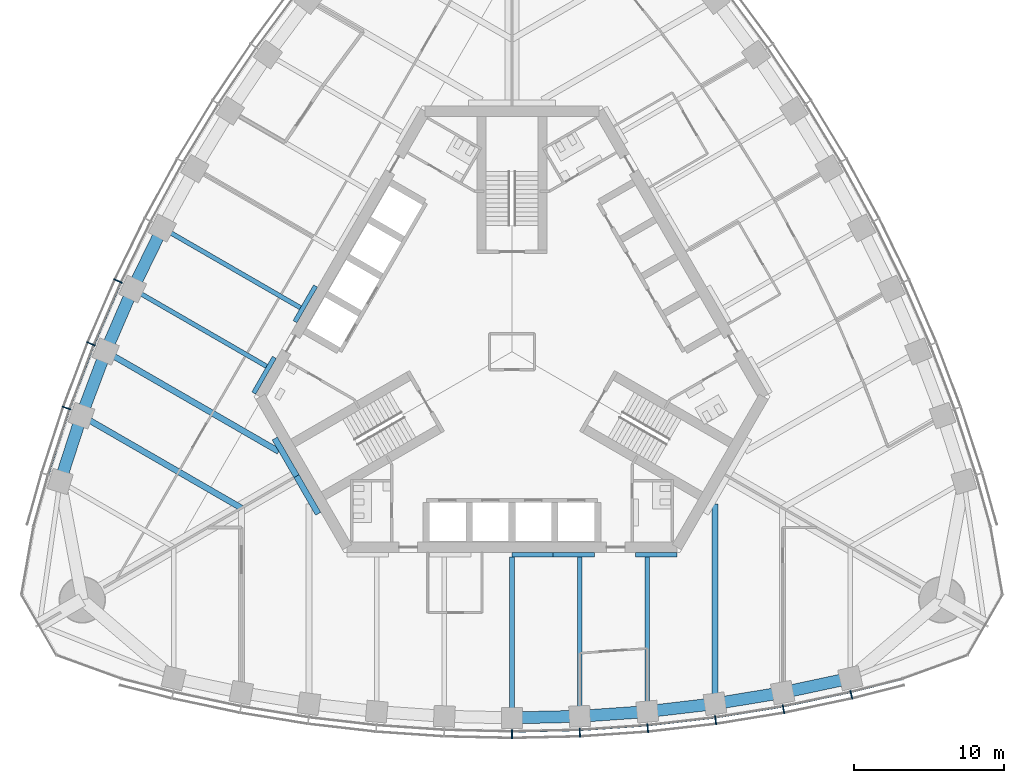
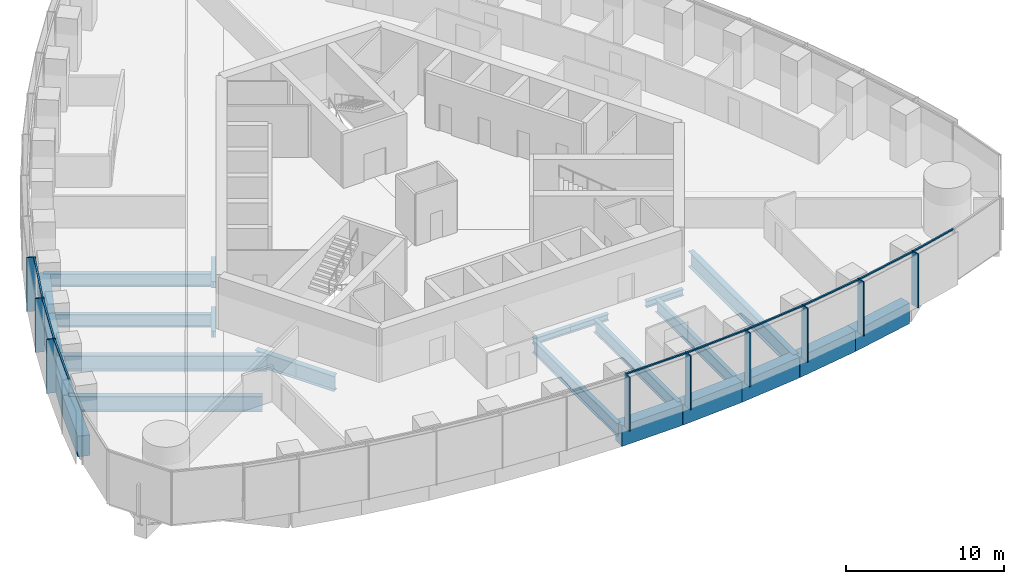
# One storey, part 3 of 19: 24 beams, 18 members, 2 elements without a shape of their own.
"""IFC4 building model written with IfcOpenShell, lengths in metres."""

import ifcopenshell
import ifcopenshell.guid

model = None  # the IFC model being written
_history = None  # IfcOwnerHistory: only IFC2X3 demands one
_inside = {}  # id of a spatial element -> (the spatial element, [elements in it])
_under = {}  # id of a project, library or spatial element -> (it, [spatial elements below it])
_declared = {}  # id of a project -> (the project, [libraries it declares])
_typed = {}  # id of a type object -> (the type object, [elements of that type])
_made_of = {}  # id of a material, layer set ... -> (it, [elements and type objects made of it])


def new_model(schema):
    """Start an empty IFC model of exactly this schema.

    Asked for "IFC4X3", IfcOpenShell would pick the latest addendum, in which some entities
    have other attributes; the version numbers below select the first issue.
    IFC2X3 requires an IfcOwnerHistory on every rooted entity: one is made here for all.
    """
    global model, _history
    if schema == "IFC4X3":
        model = ifcopenshell.file(schema_version=(4, 3, 0, 0))
    else:
        model = ifcopenshell.file(schema=schema)
    _inside.clear()
    _under.clear()
    _declared.clear()
    _typed.clear()
    _made_of.clear()
    _history = None
    if model.schema == "IFC2X3":
        org = make("IfcOrganization", Name="unknown")
        user = make(
            "IfcPersonAndOrganization",
            ThePerson=make("IfcPerson", FamilyName="unknown"),
            TheOrganization=org,
        )
        app = make(
            "IfcApplication",
            ApplicationDeveloper=org,
            Version="unknown",
            ApplicationFullName="unknown",
            ApplicationIdentifier="unknown",
        )
        _history = make(
            "IfcOwnerHistory",
            OwningUser=user,
            OwningApplication=app,
            ChangeAction="ADDED",
            CreationDate=0,
        )
    return model


def make(cls, **values):
    """One entity of the class cls with the attributes given. An attribute that is None is left unset."""
    return model.create_entity(
        cls, **{name: value for name, value in values.items() if value is not None}
    )


def rooted(cls, **values):
    """An entity with a GlobalId (a new one), such as an element, a storey or a relation."""
    return make(cls, GlobalId=ifcopenshell.guid.new(), OwnerHistory=_history, **values)


def si_unit(unit_type, name, prefix=None):
    """IfcSIUnit, for example si_unit("LENGTHUNIT", "METRE", prefix="MILLI")."""
    return make("IfcSIUnit", UnitType=unit_type, Prefix=prefix, Name=name)


def assignment(units):
    """IfcUnitAssignment: the units of a project."""
    return None if units is None else make("IfcUnitAssignment", Units=units)


def point(xyz):
    """IfcCartesianPoint."""
    return None if xyz is None else make("IfcCartesianPoint", Coordinates=xyz)


def direction(xyz):
    """IfcDirection."""
    return None if xyz is None else make("IfcDirection", DirectionRatios=xyz)


def frame(location, z_axis=None, x_axis=None):
    """IfcAxis2Placement3D, a coordinate frame: its origin and axes. An axis left out is left unset."""
    return make(
        "IfcAxis2Placement3D",
        Location=point(location),
        Axis=direction(z_axis),
        RefDirection=direction(x_axis),
    )


def frame_2d(location, x_axis=None):
    """IfcAxis2Placement2D, a coordinate frame in the plane: its origin and x axis."""
    return make(
        "IfcAxis2Placement2D", Location=point(location), RefDirection=direction(x_axis)
    )


def origin():
    """The frame at (0, 0, 0) with its axes left unset."""
    return frame((0.0, 0.0, 0.0))


def origin_2d():
    """The frame at (0, 0) in the plane with its x axis left unset."""
    return frame_2d((0.0, 0.0))


def place(relative_to, where):
    """IfcLocalPlacement: puts the frame where relative to a parent placement (None: the world)."""
    return make(
        "IfcLocalPlacement", PlacementRelTo=relative_to, RelativePlacement=where
    )


def context(
    kind, dimensions, precision=None, world=None, true_north=None, identifier=None
):
    """IfcGeometricRepresentationContext, for example the 3D "Model" context."""
    return make(
        "IfcGeometricRepresentationContext",
        ContextIdentifier=identifier,
        ContextType=kind,
        CoordinateSpaceDimension=dimensions,
        Precision=precision,
        WorldCoordinateSystem=world,
        TrueNorth=true_north,
    )


def subcontext(parent, identifier, kind, view, scale=None):
    """IfcGeometricRepresentationSubContext, for example "Body" below "Model"."""
    return make(
        "IfcGeometricRepresentationSubContext",
        ContextIdentifier=identifier,
        ContextType=kind,
        ParentContext=parent,
        TargetScale=scale,
        TargetView=view,
    )


def project(units=None, contexts=None):
    """IfcProject with its units and contexts."""
    return rooted(
        "IfcProject",
        Name="project",
        RepresentationContexts=contexts,
        UnitsInContext=assignment(units),
    )


def spatial(cls, under=None, at=None, **own):
    """A site, building, storey or space (cls), placed at a placement, below another one or the project."""
    s = rooted(cls, ObjectPlacement=at, **own)
    if under is not None:
        _under.setdefault(under.id(), (under, []))[1].append(s)
    return s


def profile(cls, at=None, kind="AREA", **sizes):
    """A parametric profile (cls). Its sizes go by their IFC names, for example OverallWidth=200.0."""
    return make(cls, ProfileType=kind, Position=at, **sizes)


def rectangle(**sizes):
    """IfcRectangleProfileDef."""
    return profile("IfcRectangleProfileDef", **sizes)


def i_section(**sizes):
    """IfcIShapeProfileDef."""
    return profile("IfcIShapeProfileDef", **sizes)


def extrude(swept, where, along, depth):
    """IfcExtrudedAreaSolid: the profile swept, set in the frame where, extruded along a direction by depth."""
    return make(
        "IfcExtrudedAreaSolid",
        SweptArea=swept,
        Position=where,
        ExtrudedDirection=direction(along),
        Depth=depth,
    )


def shape(context_of_items, identifier, shape_type, items):
    """IfcShapeRepresentation: the items that make up one representation, for example the "Body"."""
    return make(
        "IfcShapeRepresentation",
        ContextOfItems=context_of_items,
        RepresentationIdentifier=identifier,
        RepresentationType=shape_type,
        Items=items,
    )


def material(Name=None, Category=None):
    """IfcMaterial."""
    return make("IfcMaterial", Name=Name, Category=Category)


def material_profile(
    of_material, cross_section, Name=None, Category=None, Priority=None
):
    """IfcMaterialProfile: a cross section and its material."""
    return make(
        "IfcMaterialProfile",
        Name=Name,
        Material=of_material,
        Profile=cross_section,
        Priority=Priority,
        Category=Category,
    )


def profile_set(profiles, Name=None, composite=None):
    """IfcMaterialProfileSet."""
    return make(
        "IfcMaterialProfileSet",
        Name=Name,
        MaterialProfiles=profiles,
        CompositeProfile=composite,
    )


def made_of(thing, what):
    """Note that an element or type object is made of a material, layer set ...; save() writes the relation."""
    if what is not None:
        _made_of.setdefault(what.id(), (what, []))[1].append(thing)
    return thing


def type_object(cls, material=None, **own):
    """A type object (cls), such as IfcWallType, which elements share."""
    return made_of(rooted(cls, **own), material)


def element(
    cls,
    number,
    at=None,
    inside=None,
    cuts=None,
    type_object=None,
    material=None,
    context=None,
    identifier="Body",
    shape_type=None,
    held_by="IfcProductDefinitionShape",
    body=None,
    shapes=None,
    **own,
):
    """One element of the class cls, such as IfcWall. Its Tag is "e" and its number.

    at: its placement. inside: the storey or other place that contains it. cuts: it is an
    opening in that element (IfcRelVoidsElement). A single representation is given by context,
    identifier, shape_type and body (its items); several are given by shapes. held_by: the class
    of the entity that holds the representations. save() writes the other relations.
    """
    e = rooted(cls, Tag="e%d" % number, ObjectPlacement=at, **own)
    if body is not None:
        shapes = [shape(context, identifier, shape_type, body)]
    if shapes is not None:
        e.Representation = make(held_by, Representations=shapes)
    if inside is not None:
        _inside.setdefault(inside.id(), (inside, []))[1].append(e)
    if cuts is not None:
        rooted(
            "IfcRelVoidsElement", RelatingBuildingElement=cuts, RelatedOpeningElement=e
        )
    if type_object is not None:
        _typed.setdefault(type_object.id(), (type_object, []))[1].append(e)
    return made_of(e, material)


def aggregate(whole, parts):
    """IfcRelAggregates: a whole, such as a stair, and the parts it consists of."""
    return rooted("IfcRelAggregates", RelatingObject=whole, RelatedObjects=parts)


def save(model, path):
    """Write the relations noted so far, then the file.

    IfcRelAggregates (storeys below a building ...), IfcRelContainedInSpatialStructure (elements
    in a storey), IfcRelDefinesByType, IfcRelAssociatesMaterial and IfcRelDeclares: one each for
    every whole, place, type object, material and project.
    """
    for whole, parts in _under.values():
        aggregate(whole, parts)
    for where, things in _inside.values():
        rooted(
            "IfcRelContainedInSpatialStructure",
            RelatedElements=things,
            RelatingStructure=where,
        )
    for kind, things in _typed.values():
        rooted("IfcRelDefinesByType", RelatedObjects=things, RelatingType=kind)
    for what, things in _made_of.values():
        rooted("IfcRelAssociatesMaterial", RelatedObjects=things, RelatingMaterial=what)
    for by, libraries in _declared.values():
        rooted("IfcRelDeclares", RelatingContext=by, RelatedDefinitions=libraries)
    model.write(path)


model = new_model("IFC4")

# Units and contexts
model_context = context("Model", 3, precision=1e-05, world=origin(), true_north=direction((0.0, 1.0)))
body_context = subcontext(model_context, "Body", "Model", "MODEL_VIEW")
ifc_project = project(units=[si_unit("LENGTHUNIT", "METRE"), si_unit("AREAUNIT", "SQUARE_METRE"), si_unit("VOLUMEUNIT", "CUBIC_METRE"), si_unit("PLANEANGLEUNIT", "RADIAN"), si_unit("MASSUNIT", "GRAM", prefix="KILO")], contexts=[model_context])

# Site, building, storey
site_placement = place(None, origin())
site = spatial("IfcSite", under=ifc_project, at=site_placement, CompositionType="ELEMENT")
building_placement = place(site_placement, origin())
building = spatial("IfcBuilding", under=site, at=building_placement, Name="Trefoil Bronze Tower", CompositionType="ELEMENT")
storey_placement = place(building_placement, frame((0.0, 0.0, 256.89990234375)))
storey = spatial("IfcBuildingStorey", under=building, at=storey_placement, Name="L59", CompositionType="ELEMENT", Elevation=256.89990234375)

# Curtain wall, members
ifc_material_1 = material(Name="Tinted solar-control glass", Category="glass")
curtain_wall_type = type_object("IfcCurtainWallType", Name="Bronze office curtain wall", PredefinedType="USERDEFINED", material=ifc_material_1)
curtain_wall_1_placement = place(storey_placement, origin())
curtain_wall_1 = element("IfcCurtainWall", 1, at=curtain_wall_1_placement, inside=storey, type_object=curtain_wall_type, Name="CW-A L59 F1", ObjectType="CURTAIN WALL", PredefinedType="USERDEFINED")
ifc_material_2 = material(Name="Bronze-finish aluminium", Category="aluminium")
ifc_material_profile_1 = material_profile(ifc_material_2, rectangle(XDim=0.60009765625, YDim=0.080078125, at=origin_2d()), Name="CW-A mullion")
ifc_profile_set_1 = profile_set([ifc_material_profile_1], Name="Bronze-finish aluminium")
member_type_1 = type_object("IfcMemberType", Name="Bronze office curtain wall mullion", PredefinedType="MULLION", material=ifc_profile_set_1)
member_1_placement = place(storey_placement, frame((0.0, -25.45068359375, 0.0), z_axis=(0.0, 0.0, 1.0), x_axis=(0.0, 1.0, 0.0)))
member_1 = element("IfcMember", 2, at=member_1_placement, type_object=member_type_1, Name="CW-A L59 F1 mullion 7", PredefinedType="MULLION", context=body_context, shape_type="SweptSolid", body=[
    extrude(rectangle(XDim=0.60009765625, YDim=0.080078125, at=origin_2d()), origin(), (0.0, 0.0, 1.0), 4.18017578125),
])
member_2_placement = place(storey_placement, frame((4.513671875, -25.346923828125, 0.0), z_axis=(0.0, 0.0, 1.0), x_axis=(-0.045955542372, 0.998943485952, 0.0)))
member_2 = element("IfcMember", 3, at=member_2_placement, type_object=member_type_1, Name="CW-A L59 F1 mullion 8", PredefinedType="MULLION", context=body_context, shape_type="SweptSolid", body=[
    extrude(rectangle(XDim=0.60009765625, YDim=0.080078125, at=origin_2d()), origin(), (0.0, 0.0, 1.0), 4.18017578125),
])
member_3_placement = place(storey_placement, frame((9.027587890625, -25.03515625, 0.0), z_axis=(0.0, 0.0, 1.0), x_axis=(-0.091911396394, 0.995767189263, 0.0)))
member_3 = element("IfcMember", 4, at=member_3_placement, type_object=member_type_1, Name="CW-A L59 F1 mullion 9", PredefinedType="MULLION", context=body_context, shape_type="SweptSolid", body=[
    extrude(rectangle(XDim=0.60009765625, YDim=0.080078125, at=origin_2d()), origin(), (0.0, 0.0, 1.0), 4.18017578125),
])
member_4_placement = place(storey_placement, frame((13.541259765625, -24.51318359375, 0.0), z_axis=(0.0, 0.0, 1.0), x_axis=(-0.137867887204, 0.990450627582, 0.0)))
member_4 = element("IfcMember", 5, at=member_4_placement, type_object=member_type_1, Name="CW-A L59 F1 mullion 10", PredefinedType="MULLION", context=body_context, shape_type="SweptSolid", body=[
    extrude(rectangle(XDim=0.60009765625, YDim=0.080078125, at=origin_2d()), origin(), (0.0, 0.0, 1.0), 4.18017578125),
])
member_5_placement = place(storey_placement, frame((18.05517578125, -23.77783203125, 0.0), z_axis=(0.0, 0.0, 1.0), x_axis=(-0.183825368167, 0.982958917767, 0.0)))
member_5 = element("IfcMember", 6, at=member_5_placement, type_object=member_type_1, Name="CW-A L59 F1 mullion 11", PredefinedType="MULLION", context=body_context, shape_type="SweptSolid", body=[
    extrude(rectangle(XDim=0.60009765625, YDim=0.080078125, at=origin_2d()), origin(), (0.0, 0.0, 1.0), 4.18017578125),
])
member_6_placement = place(storey_placement, frame((22.568115234375, -22.82421875, 0.0), z_axis=(0.0, 0.0, 1.0), x_axis=(-0.227082662569, 0.973875487093, 0.0)))
member_6 = element("IfcMember", 7, at=member_6_placement, type_object=member_type_1, Name="CW-A L59 F1 mullion 12", PredefinedType="MULLION", context=body_context, shape_type="SweptSolid", body=[
    extrude(rectangle(XDim=0.60009765625, YDim=0.080078125, at=origin_2d()), origin(), (0.0, 0.0, 1.0), 4.18017578125),
])

curtain_wall_2_placement = place(storey_placement, origin())
curtain_wall_2 = element("IfcCurtainWall", 8, at=curtain_wall_2_placement, inside=storey, type_object=curtain_wall_type, Name="CW-A L59 F3", ObjectType="CURTAIN WALL", PredefinedType="USERDEFINED")
member_7_placement = place(storey_placement, frame((-26.19482421875, 4.699462890625, 0.0), z_axis=(0.0, 0.0, 1.0), x_axis=(0.908315380354, -0.418285990457, 0.0)))
member_7 = element("IfcMember", 9, at=member_7_placement, type_object=member_type_1, Name="CW-A L59 F3 mullion 9", PredefinedType="MULLION", context=body_context, shape_type="SweptSolid", body=[
    extrude(rectangle(XDim=0.60009765625, YDim=0.080078125, at=origin_2d()), origin(), (0.0, 0.0, 1.0), 4.18017578125),
])
member_8_placement = place(storey_placement, frame((-27.999755859375, 0.529541015625, 0.0), z_axis=(0.0, 0.0, 1.0), x_axis=(0.926689348282, -0.375828221106, 0.0)))
member_8 = element("IfcMember", 10, at=member_8_placement, type_object=member_type_1, Name="CW-A L59 F3 mullion 10", PredefinedType="MULLION", context=body_context, shape_type="SweptSolid", body=[
    extrude(rectangle(XDim=0.60009765625, YDim=0.080078125, at=origin_2d()), origin(), (0.0, 0.0, 1.0), 4.18017578125),
])
member_9_placement = place(storey_placement, frame((-29.619873046875, -3.747314453125, 0.0), z_axis=(0.0, 0.0, 1.0), x_axis=(0.943180077746, -0.332282020191, 0.0)))
member_9 = element("IfcMember", 11, at=member_9_placement, type_object=member_type_1, Name="CW-A L59 F3 mullion 11", PredefinedType="MULLION", context=body_context, shape_type="SweptSolid", body=[
    extrude(rectangle(XDim=0.60009765625, YDim=0.080078125, at=origin_2d()), origin(), (0.0, 0.0, 1.0), 4.18017578125),
])

# Member
ifc_material_3 = material(Name="Bronze-finish aluminium", Category="aluminium")
ifc_material_profile_2 = material_profile(ifc_material_3, rectangle(XDim=0.1201171875, YDim=0.10009765625, at=origin_2d()), Name="CW-A transom")
ifc_profile_set_2 = profile_set([ifc_material_profile_2], Name="Bronze-finish aluminium")
member_type_2 = type_object("IfcMemberType", Name="Bronze office curtain wall transom", PredefinedType="USERDEFINED", material=ifc_profile_set_2)
member_10_placement = place(storey_placement, frame((0.042236328125, -25.249755859375, 4.130126953125), z_axis=(0.999736131416, 0.022971015226, 0.0), x_axis=(-0.022971015226, 0.999736131416, 0.0)))
member_10 = element("IfcMember", 12, at=member_10_placement, type_object=member_type_2, Name="CW-A L59 F1 transom 7", ObjectType="TRANSOM", PredefinedType="USERDEFINED", context=body_context, shape_type="SweptSolid", body=[
    extrude(rectangle(XDim=0.1201171875, YDim=0.10009765625, at=origin_2d()), origin(), (0.0, 0.0, 1.0), 4.42138671875),
])

member_11_placement = place(storey_placement, frame((4.546875, -25.144287109375, 4.130126953125), z_axis=(0.997621320987, 0.06893257512, 0.0), x_axis=(-0.06893257512, 0.997621320987, 0.0)))
member_11 = element("IfcMember", 13, at=member_11_placement, type_object=member_type_2, Name="CW-A L59 F1 transom 8", ObjectType="TRANSOM", PredefinedType="USERDEFINED", context=body_context, shape_type="SweptSolid", body=[
    extrude(rectangle(XDim=0.1201171875, YDim=0.10009765625, at=origin_2d()), origin(), (0.0, 0.0, 1.0), 4.4306640625),
])

member_12_placement = place(storey_placement, frame((9.05126953125, -24.8310546875, 4.130126953125), z_axis=(0.993384885596, 0.114832352013, 0.0), x_axis=(-0.114832352013, 0.993384885596, 0.0)))
member_12 = element("IfcMember", 14, at=member_12_placement, type_object=member_type_2, Name="CW-A L59 F1 transom 9", ObjectType="TRANSOM", PredefinedType="USERDEFINED", context=body_context, shape_type="SweptSolid", body=[
    extrude(rectangle(XDim=0.1201171875, YDim=0.10009765625, at=origin_2d()), origin(), (0.0, 0.0, 1.0), 4.449951171875),
])

member_13_placement = place(storey_placement, frame((13.5556640625, -24.308349609375, 4.130126953125), z_axis=(0.986988367046, 0.160791676761, 0.0), x_axis=(-0.160791676761, 0.986988367046, 0.0)))
member_13 = element("IfcMember", 15, at=member_13_placement, type_object=member_type_2, Name="CW-A L59 F1 transom 10", ObjectType="TRANSOM", PredefinedType="USERDEFINED", context=body_context, shape_type="SweptSolid", body=[
    extrude(rectangle(XDim=0.1201171875, YDim=0.10009765625, at=origin_2d()), origin(), (0.0, 0.0, 1.0), 4.479248046875),
])

member_14_placement = place(storey_placement, frame((18.059814453125, -23.572509765625, 4.130126953125), z_axis=(0.978395325657, 0.20674280334, 0.0), x_axis=(-0.20674280334, 0.978395325657, 0.0)))
member_14 = element("IfcMember", 16, at=member_14_placement, type_object=member_type_2, Name="CW-A L59 F1 transom 11", ObjectType="TRANSOM", PredefinedType="USERDEFINED", context=body_context, shape_type="SweptSolid", body=[
    extrude(rectangle(XDim=0.1201171875, YDim=0.10009765625, at=origin_2d()), origin(), (0.0, 0.0, 1.0), 4.519287109375),
])

member_15_placement = place(storey_placement, frame((22.5634765625, -22.618896484375, 4.130126953125), z_axis=(0.968935220916, 0.247314653162, 0.0), x_axis=(-0.247314653162, 0.968935220916, 0.0)))
member_15 = element("IfcMember", 17, at=member_15_placement, type_object=member_type_2, Name="CW-A L59 F1 transom 12", ObjectType="TRANSOM", PredefinedType="USERDEFINED", context=body_context, shape_type="SweptSolid", body=[
    extrude(rectangle(XDim=0.1201171875, YDim=0.10009765625, at=origin_2d()), origin(), (0.0, 0.0, 1.0), 3.483642578125),
])

aggregate(curtain_wall_1, [member_1, member_2, member_3, member_4, member_5, member_6, member_10, member_11, member_12, member_13, member_14, member_15])

member_16_placement = place(storey_placement, frame((-26.030029296875, 4.576904296875, 4.130126953125), z_axis=(-0.397220936772, -0.917723012346, 0.0), x_axis=(0.917723012346, -0.397220936772, 0.0)))
member_16 = element("IfcMember", 18, at=member_16_placement, type_object=member_type_2, Name="CW-A L59 F3 transom 9", ObjectType="TRANSOM", PredefinedType="USERDEFINED", context=body_context, shape_type="SweptSolid", body=[
    extrude(rectangle(XDim=0.1201171875, YDim=0.10009765625, at=origin_2d()), origin(), (0.0, 0.0, 1.0), 4.449951171875),
])

member_17_placement = place(storey_placement, frame((-27.829345703125, 0.414794921875, 4.130126953125), z_axis=(-0.354263170896, -0.935145767112, 0.0), x_axis=(0.935145767112, -0.354263170896, 0.0)))
member_17 = element("IfcMember", 19, at=member_17_placement, type_object=member_type_2, Name="CW-A L59 F3 transom 10", ObjectType="TRANSOM", PredefinedType="USERDEFINED", context=body_context, shape_type="SweptSolid", body=[
    extrude(rectangle(XDim=0.1201171875, YDim=0.10009765625, at=origin_2d()), origin(), (0.0, 0.0, 1.0), 4.4794921875),
])

member_18_placement = place(storey_placement, frame((-29.4443359375, -3.85400390625, 4.130126953125), z_axis=(-0.310127806788, -0.950694874004, 0.0), x_axis=(0.950694874004, -0.310127806788, 0.0)))
member_18 = element("IfcMember", 20, at=member_18_placement, type_object=member_type_2, Name="CW-A L59 F3 transom 11", ObjectType="TRANSOM", PredefinedType="USERDEFINED", context=body_context, shape_type="SweptSolid", body=[
    extrude(rectangle(XDim=0.1201171875, YDim=0.10009765625, at=origin_2d()), origin(), (0.0, 0.0, 1.0), 4.51953125),
])

aggregate(curtain_wall_2, [member_7, member_8, member_9, member_16, member_17, member_18])

# Beams
ifc_material_4 = material(Name="Steel C355", Category="steel")
ifc_material_profile_3 = material_profile(ifc_material_4, i_section(OverallWidth=0.300048828125, OverallDepth=0.5, WebThickness=0.014404296875, FlangeThickness=0.028076171875, FilletRadius=0.027099609375, at=origin_2d()), Name="HEB 500")
ifc_profile_set_3 = profile_set([ifc_material_profile_3], Name="Steel C355")
beam_type_1 = type_object("IfcBeamType", Name="Core seat beam HEB 500", PredefinedType="BEAM", material=ifc_profile_set_3)
for number, where, z_axis, x_axis, name in (
    (21, (0.0, -13.5, -0.449951171875), (1.0, 0.0, 0.0), (0.0, 1.0, 0.0), "Core seat beam F1/+0 L59"),
    (22, (2.742431640625, -13.5, -0.449951171875), (1.0, 0.0, 0.0), (0.0, 1.0, 0.0), "Core seat beam F1/+1 L59"),
    (23, (8.227294921875, -13.5, -0.449951171875), (1.0, 0.0, 0.0), (0.0, 1.0, 0.0), "Core seat beam F1/+2 L59"),
    (24, (-13.0625, 4.375, -0.449951171875), (-0.500035825175, -0.866004719122, 0.0), (0.866004719122, -0.500035825175, 0.0), "Core seat beam F3/+1 L59"),
    (25, (-15.804931640625, -0.375, -0.449951171875), (-0.500035825175, -0.866004719122, 0.0), (0.866004719122, -0.500035825175, 0.0), "Core seat beam F3/+2 L59"),
):
    element("IfcBeam", number, at=place(storey_placement, frame(where, z_axis=z_axis, x_axis=x_axis)), inside=storey, type_object=beam_type_1, Name=name, PredefinedType="BEAM", context=body_context, shape_type="SweptSolid", body=[
        extrude(i_section(OverallWidth=0.300048828125, OverallDepth=0.5, WebThickness=0.014404296875, FlangeThickness=0.028076171875, FilletRadius=0.027099609375, at=origin_2d()), origin(), (0.0, 0.0, 1.0), 2.742431640625),
    ])
ifc_material_5 = material(Name="Steel C355", Category="steel")
ifc_material_profile_4 = material_profile(ifc_material_5, i_section(OverallWidth=0.39990234375, OverallDepth=1.199951171875, WebThickness=0.02001953125, FlangeThickness=0.0400390625, FilletRadius=0.010009765625, at=origin_2d()), Name="WPG 1200")
ifc_profile_set_4 = profile_set([ifc_material_profile_4], Name="Steel C355")
beam_type_2 = type_object("IfcBeamType", Name="Core seat beam WPG 1200", PredefinedType="BEAM", material=ifc_profile_set_4)
for number, where, z_axis, x_axis, name in (
    (26, (-14.332763671875, -8.27490234375, -0.7998046875), (0.499995765644, -0.866027848477, 0.0), (0.866027848477, 0.499995765644, 0.0), "Core seat beam F1/-3 L59"),
    (27, (-15.776123046875, -5.77490234375, -0.7998046875), (0.499995765644, -0.866027848477, 0.0), (0.866027848477, 0.499995765644, 0.0), "Core seat beam F3/+3 L59"),
):
    element("IfcBeam", number, at=place(storey_placement, frame(where, z_axis=z_axis, x_axis=x_axis)), inside=storey, type_object=beam_type_2, Name=name, PredefinedType="BEAM", context=body_context, shape_type="SweptSolid", body=[
        extrude(i_section(OverallWidth=0.39990234375, OverallDepth=1.199951171875, WebThickness=0.02001953125, FlangeThickness=0.0400390625, FilletRadius=0.010009765625, at=origin_2d()), origin(), (0.0, 0.0, 1.0), 2.88671875),
    ])
ifc_material_6 = material(Name="Steel C355", Category="steel")
ifc_material_profile_5 = material_profile(ifc_material_6, i_section(OverallWidth=0.300048828125, OverallDepth=1.0, WebThickness=0.01904296875, FlangeThickness=0.035888671875, FilletRadius=0.030029296875, at=origin_2d()), Name="HEB 1000")
ifc_profile_set_5 = profile_set([ifc_material_profile_5], Name="Steel C355")
beam_type_3 = type_object("IfcBeamType", Name="Floor beam HEB 1000", PredefinedType="BEAM", material=ifc_profile_set_5)
for number, where, z_axis, x_axis, name in (
    (28, (9.0, -23.932861328125, -0.699951171875), (0.0, 1.0, 0.0), (-1.0, 0.0, 0.0), "Floor beam F1/+2 L59"),
    (29, (-25.2265625, 4.17236328125, -0.699951171875), (0.866019527493, -0.500010177898, 0.0), (0.500010177898, 0.866019527493, 0.0), "Floor beam F3/+2 L59"),
):
    element("IfcBeam", number, at=place(storey_placement, frame(where, z_axis=z_axis, x_axis=x_axis)), inside=storey, type_object=beam_type_3, Name=name, PredefinedType="BEAM", context=body_context, shape_type="SweptSolid", body=[
        extrude(i_section(OverallWidth=0.300048828125, OverallDepth=1.0, WebThickness=0.01904296875, FlangeThickness=0.035888671875, FilletRadius=0.030029296875, at=origin_2d()), origin(), (0.0, 0.0, 1.0), 10.282958984375),
    ])
ifc_material_7 = material(Name="Steel C355", Category="steel")
ifc_material_profile_6 = material_profile(ifc_material_7, i_section(OverallWidth=0.302001953125, OverallDepth=1.008056640625, WebThickness=0.02099609375, FlangeThickness=0.0400390625, FilletRadius=0.030029296875, at=origin_2d()), Name="HEM 1000")
ifc_profile_set_6 = profile_set([ifc_material_profile_6], Name="Steel C355")
beam_type_4 = type_object("IfcBeamType", Name="Floor beam HEM 1000", PredefinedType="BEAM", material=ifc_profile_set_6)
beam_1_placement = place(storey_placement, frame((0.0, -24.3505859375, -0.703857421875), z_axis=(0.0, 1.0, 0.0), x_axis=(-1.0, 0.0, 0.0)))
element("IfcBeam", 30, at=beam_1_placement, inside=storey, type_object=beam_type_4, Name="Floor beam F1/+0 L59", PredefinedType="BEAM", context=body_context, shape_type="SweptSolid", body=[
    extrude(i_section(OverallWidth=0.302001953125, OverallDepth=1.008056640625, WebThickness=0.02099609375, FlangeThickness=0.0400390625, FilletRadius=0.030029296875, at=origin_2d()), origin(), (0.0, 0.0, 1.0), 10.70068359375),
])
for number, where, z_axis, x_axis, name in (
    (31, (4.5, -24.246337890625, -0.703857421875), (0.0, 1.0, 0.0), (-1.0, 0.0, 0.0), "Floor beam F1/+1 L59"),
    (32, (-23.248046875, 8.22607421875, -0.703857421875), (0.86602981261, -0.499992363612, 0.0), (0.499992363612, 0.86602981261, 0.0), "Floor beam F3/+1 L59"),
):
    element("IfcBeam", number, at=place(storey_placement, frame(where, z_axis=z_axis, x_axis=x_axis)), inside=storey, type_object=beam_type_4, Name=name, PredefinedType="BEAM", context=body_context, shape_type="SweptSolid", body=[
        extrude(i_section(OverallWidth=0.302001953125, OverallDepth=1.008056640625, WebThickness=0.02099609375, FlangeThickness=0.0400390625, FilletRadius=0.030029296875, at=origin_2d()), origin(), (0.0, 0.0, 1.0), 10.596435546875),
    ])
ifc_material_8 = material(Name="Steel C355", Category="steel")
ifc_material_profile_7 = material_profile(ifc_material_8, i_section(OverallWidth=0.39990234375, OverallDepth=1.199951171875, WebThickness=0.02001953125, FlangeThickness=0.0400390625, FilletRadius=0.010009765625, at=origin_2d()), Name="WPG 1200")
ifc_profile_set_7 = profile_set([ifc_material_profile_7], Name="Steel C355")
beam_type_5 = type_object("IfcBeamType", Name="Floor beam WPG 1200", PredefinedType="BEAM", material=ifc_profile_set_7)
for number, where, z_axis, x_axis, name in (
    (33, (13.5, -23.408447265625, -0.7998046875), (0.0, 1.0, 0.0), (-1.0, 0.0, 0.0), "Floor beam F1/+3 L59"),
    (34, (-27.022216796875, 0.012939453125, -0.7998046875), (0.866023461342, -0.500003364394, 0.0), (0.500003364394, 0.866023461342, 0.0), "Floor beam F3/+3 L59"),
):
    element("IfcBeam", number, at=place(storey_placement, frame(where, z_axis=z_axis, x_axis=x_axis)), inside=storey, type_object=beam_type_5, Name=name, PredefinedType="BEAM", context=body_context, shape_type="SweptSolid", body=[
        extrude(i_section(OverallWidth=0.39990234375, OverallDepth=1.199951171875, WebThickness=0.02001953125, FlangeThickness=0.0400390625, FilletRadius=0.010009765625, at=origin_2d()), origin(), (0.0, 0.0, 1.0), 13.291015625),
    ])
beam_2_placement = place(storey_placement, frame((-28.632080078125, -4.25390625, -0.7998046875), z_axis=(0.866025635187, -0.499999599199, 0.0), x_axis=(0.499999599199, 0.866025635187, 0.0)))
element("IfcBeam", 35, at=beam_2_placement, inside=storey, type_object=beam_type_5, Name="Floor beam F3/+4 L59", PredefinedType="BEAM", context=body_context, shape_type="SweptSolid", body=[
    extrude(i_section(OverallWidth=0.39990234375, OverallDepth=1.199951171875, WebThickness=0.02001953125, FlangeThickness=0.0400390625, FilletRadius=0.010009765625, at=origin_2d()), origin(), (0.0, 0.0, 1.0), 12.27685546875),
])
ifc_material_9 = material(Name="Concrete B80", Category="concrete")
ifc_material_profile_8 = material_profile(ifc_material_9, rectangle(XDim=0.800048828125, YDim=1.60009765625, at=origin_2d()), Name="RC 800x1600")
ifc_profile_set_8 = profile_set([ifc_material_profile_8], Name="Concrete B80")
beam_type_6 = type_object("IfcBeamType", Name="Spandrel beam RC 800x1600", PredefinedType="SPANDREL", material=ifc_profile_set_8)
beam_3_placement = place(storey_placement, frame((0.0, -24.3505859375, -1.0), z_axis=(0.999731770792, 0.023160018779, 0.0), x_axis=(-0.023160018779, 0.999731770792, 0.0)))
element("IfcBeam", 36, at=beam_3_placement, inside=storey, type_object=beam_type_6, Name="Spandrel F1.7 L59", PredefinedType="SPANDREL", context=body_context, shape_type="SweptSolid", body=[
    extrude(rectangle(XDim=0.800048828125, YDim=1.60009765625, at=origin_2d()), origin(), (0.0, 0.0, 1.0), 4.501220703125),
])
beam_4_placement = place(storey_placement, frame((4.5, -24.246337890625, -1.0), z_axis=(0.997582435881, 0.069493047291, 0.0), x_axis=(-0.069493047291, 0.997582435881, 0.0)))
element("IfcBeam", 37, at=beam_4_placement, inside=storey, type_object=beam_type_6, Name="Spandrel F1.8 L59", PredefinedType="SPANDREL", context=body_context, shape_type="SweptSolid", body=[
    extrude(rectangle(XDim=0.800048828125, YDim=1.60009765625, at=origin_2d()), origin(), (0.0, 0.0, 1.0), 4.510986328125),
])
beam_5_placement = place(storey_placement, frame((9.0, -23.932861328125, -1.0), z_axis=(0.993278017132, 0.115753102257, 0.0), x_axis=(-0.115753102257, 0.993278017132, 0.0)))
element("IfcBeam", 38, at=beam_5_placement, inside=storey, type_object=beam_type_6, Name="Spandrel F1.9 L59", PredefinedType="SPANDREL", context=body_context, shape_type="SweptSolid", body=[
    extrude(rectangle(XDim=0.800048828125, YDim=1.60009765625, at=origin_2d()), origin(), (0.0, 0.0, 1.0), 4.530517578125),
])
beam_6_placement = place(storey_placement, frame((13.5, -23.408447265625, -1.0), z_axis=(0.986764681833, 0.162158757664, 0.0), x_axis=(-0.162158757664, 0.986764681833, 0.0)))
element("IfcBeam", 39, at=beam_6_placement, inside=storey, type_object=beam_type_6, Name="Spandrel F1.10 L59", PredefinedType="SPANDREL", context=body_context, shape_type="SweptSolid", body=[
    extrude(rectangle(XDim=0.800048828125, YDim=1.60009765625, at=origin_2d()), origin(), (0.0, 0.0, 1.0), 4.560302734375),
])
beam_7_placement = place(storey_placement, frame((18.0, -22.6689453125, -1.0), z_axis=(0.978059483036, 0.208325820877, 0.0), x_axis=(-0.208325820877, 0.978059483036, 0.0)))
element("IfcBeam", 40, at=beam_7_placement, inside=storey, type_object=beam_type_6, Name="Spandrel F1.11 L59", PredefinedType="SPANDREL", context=body_context, shape_type="SweptSolid", body=[
    extrude(rectangle(XDim=0.800048828125, YDim=1.60009765625, at=origin_2d()), origin(), (0.0, 0.0, 1.0), 4.600830078125),
])
beam_8_placement = place(storey_placement, frame((-23.248046875, 8.22607421875, -1.0), z_axis=(-0.438619830351, -0.898672712629, 0.0), x_axis=(0.898672712629, -0.438619830351, 0.0)))
element("IfcBeam", 41, at=beam_8_placement, inside=storey, type_object=beam_type_6, Name="Spandrel F3.8 L59", PredefinedType="SPANDREL", context=body_context, shape_type="SweptSolid", body=[
    extrude(rectangle(XDim=0.800048828125, YDim=1.60009765625, at=origin_2d()), origin(), (0.0, 0.0, 1.0), 4.5107421875),
])
beam_9_placement = place(storey_placement, frame((-25.2265625, 4.17236328125, -1.0), z_axis=(-0.396350337164, -0.918099346602, 0.0), x_axis=(0.918099346602, -0.396350337164, 0.0)))
element("IfcBeam", 42, at=beam_9_placement, inside=storey, type_object=beam_type_6, Name="Spandrel F3.9 L59", PredefinedType="SPANDREL", context=body_context, shape_type="SweptSolid", body=[
    extrude(rectangle(XDim=0.800048828125, YDim=1.60009765625, at=origin_2d()), origin(), (0.0, 0.0, 1.0), 4.530517578125),
])
beam_10_placement = place(storey_placement, frame((-27.022216796875, 0.012939453125, -1.0), z_axis=(-0.353005969632, -0.935621069346, 0.0), x_axis=(0.935621069346, -0.353005969632, 0.0)))
element("IfcBeam", 43, at=beam_10_placement, inside=storey, type_object=beam_type_6, Name="Spandrel F3.10 L59", PredefinedType="SPANDREL", context=body_context, shape_type="SweptSolid", body=[
    extrude(rectangle(XDim=0.800048828125, YDim=1.60009765625, at=origin_2d()), origin(), (0.0, 0.0, 1.0), 4.560546875),
])
beam_11_placement = place(storey_placement, frame((-28.632080078125, -4.25390625, -1.0), z_axis=(-0.308608505504, -0.951189145402, 0.0), x_axis=(0.951189145402, -0.308608505504, 0.0)))
element("IfcBeam", 44, at=beam_11_placement, inside=storey, type_object=beam_type_6, Name="Spandrel F3.11 L59", PredefinedType="SPANDREL", context=body_context, shape_type="SweptSolid", body=[
    extrude(rectangle(XDim=0.800048828125, YDim=1.60009765625, at=origin_2d()), origin(), (0.0, 0.0, 1.0), 4.60107421875),
])

save(model, "model.ifc")
